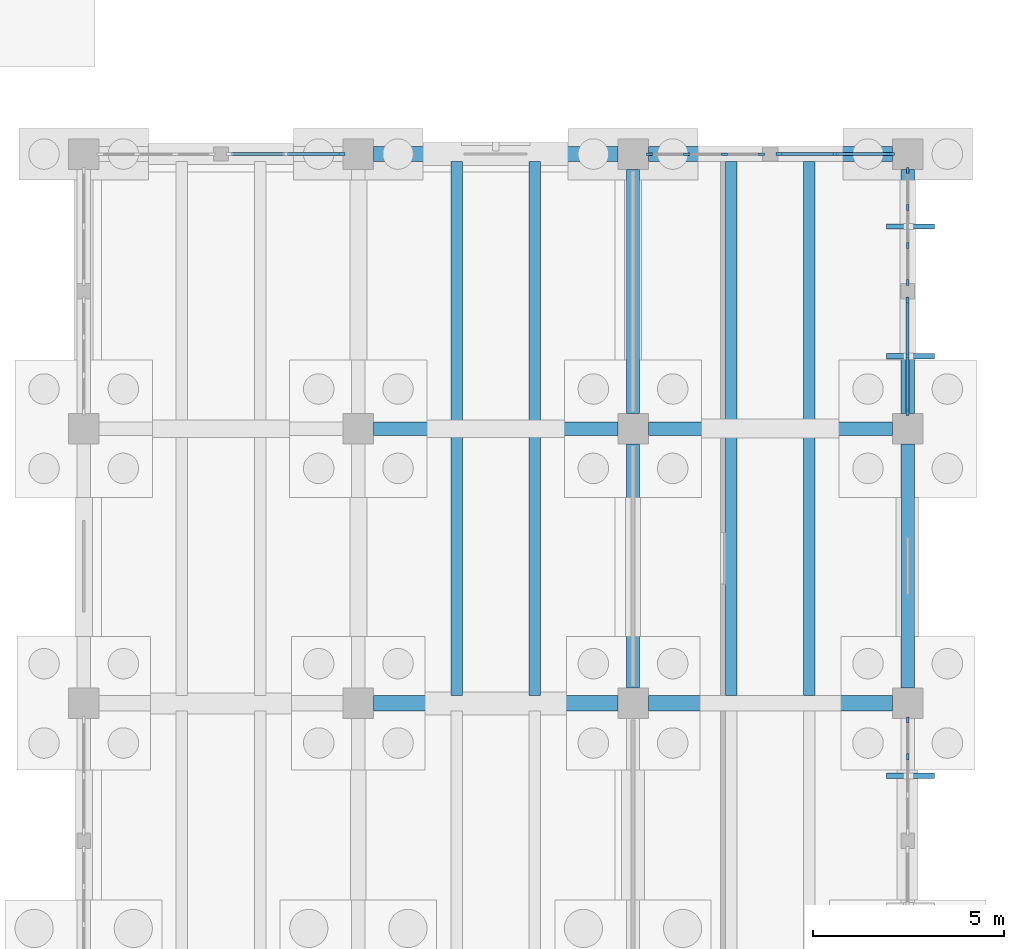
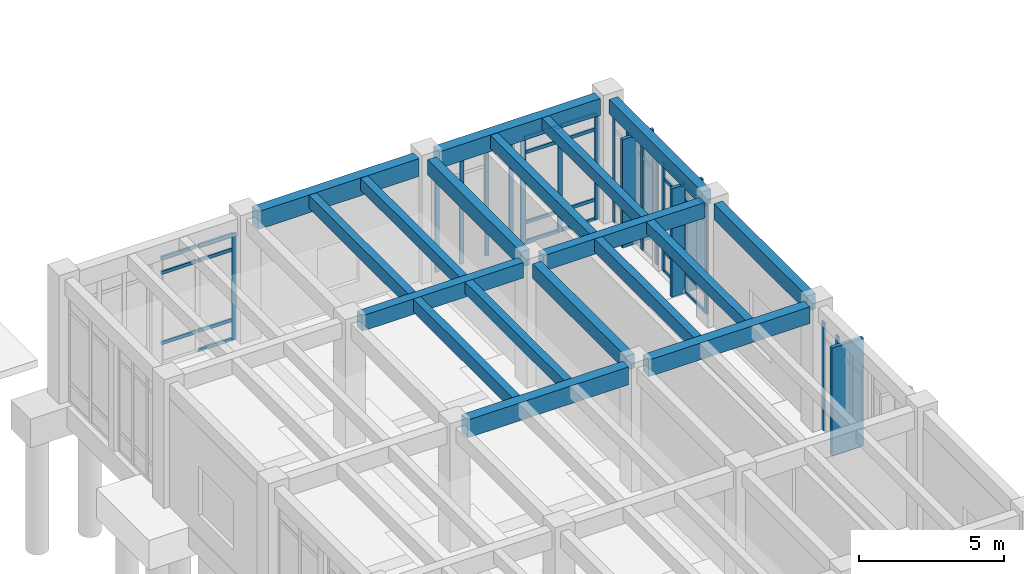
# One storey, part 42 of 93: 43 members, 18 beams, 6 elements without a shape of their own.
"""IFC4 building model written with IfcOpenShell, lengths in metres."""

import ifcopenshell
import ifcopenshell.guid

model = None  # the IFC model being written
_history = None  # IfcOwnerHistory: only IFC2X3 demands one
_inside = {}  # id of a spatial element -> (the spatial element, [elements in it])
_under = {}  # id of a project, library or spatial element -> (it, [spatial elements below it])
_declared = {}  # id of a project -> (the project, [libraries it declares])
_typed = {}  # id of a type object -> (the type object, [elements of that type])
_made_of = {}  # id of a material, layer set ... -> (it, [elements and type objects made of it])


def new_model(schema):
    """Start an empty IFC model of exactly this schema.

    Asked for "IFC4X3", IfcOpenShell would pick the latest addendum, in which some entities
    have other attributes; the version numbers below select the first issue.
    IFC2X3 requires an IfcOwnerHistory on every rooted entity: one is made here for all.
    """
    global model, _history
    if schema == "IFC4X3":
        model = ifcopenshell.file(schema_version=(4, 3, 0, 0))
    else:
        model = ifcopenshell.file(schema=schema)
    _inside.clear()
    _under.clear()
    _declared.clear()
    _typed.clear()
    _made_of.clear()
    _history = None
    if model.schema == "IFC2X3":
        org = make("IfcOrganization", Name="unknown")
        user = make(
            "IfcPersonAndOrganization",
            ThePerson=make("IfcPerson", FamilyName="unknown"),
            TheOrganization=org,
        )
        app = make(
            "IfcApplication",
            ApplicationDeveloper=org,
            Version="unknown",
            ApplicationFullName="unknown",
            ApplicationIdentifier="unknown",
        )
        _history = make(
            "IfcOwnerHistory",
            OwningUser=user,
            OwningApplication=app,
            ChangeAction="ADDED",
            CreationDate=0,
        )
    return model


def make(cls, **values):
    """One entity of the class cls with the attributes given. An attribute that is None is left unset."""
    return model.create_entity(
        cls, **{name: value for name, value in values.items() if value is not None}
    )


def rooted(cls, **values):
    """An entity with a GlobalId (a new one), such as an element, a storey or a relation."""
    return make(cls, GlobalId=ifcopenshell.guid.new(), OwnerHistory=_history, **values)


def si_unit(unit_type, name, prefix=None):
    """IfcSIUnit, for example si_unit("LENGTHUNIT", "METRE", prefix="MILLI")."""
    return make("IfcSIUnit", UnitType=unit_type, Prefix=prefix, Name=name)


def assignment(units):
    """IfcUnitAssignment: the units of a project."""
    return None if units is None else make("IfcUnitAssignment", Units=units)


def point(xyz):
    """IfcCartesianPoint."""
    return None if xyz is None else make("IfcCartesianPoint", Coordinates=xyz)


def direction(xyz):
    """IfcDirection."""
    return None if xyz is None else make("IfcDirection", DirectionRatios=xyz)


def frame(location, z_axis=None, x_axis=None):
    """IfcAxis2Placement3D, a coordinate frame: its origin and axes. An axis left out is left unset."""
    return make(
        "IfcAxis2Placement3D",
        Location=point(location),
        Axis=direction(z_axis),
        RefDirection=direction(x_axis),
    )


def frame_2d(location, x_axis=None):
    """IfcAxis2Placement2D, a coordinate frame in the plane: its origin and x axis."""
    return make(
        "IfcAxis2Placement2D", Location=point(location), RefDirection=direction(x_axis)
    )


def origin():
    """The frame at (0, 0, 0) with its axes left unset."""
    return frame((0.0, 0.0, 0.0))


def origin_2d():
    """The frame at (0, 0) in the plane with its x axis left unset."""
    return frame_2d((0.0, 0.0))


def place(relative_to, where):
    """IfcLocalPlacement: puts the frame where relative to a parent placement (None: the world)."""
    return make(
        "IfcLocalPlacement", PlacementRelTo=relative_to, RelativePlacement=where
    )


def context(
    kind, dimensions, precision=None, world=None, true_north=None, identifier=None
):
    """IfcGeometricRepresentationContext, for example the 3D "Model" context."""
    return make(
        "IfcGeometricRepresentationContext",
        ContextIdentifier=identifier,
        ContextType=kind,
        CoordinateSpaceDimension=dimensions,
        Precision=precision,
        WorldCoordinateSystem=world,
        TrueNorth=true_north,
    )


def subcontext(parent, identifier, kind, view, scale=None):
    """IfcGeometricRepresentationSubContext, for example "Body" below "Model"."""
    return make(
        "IfcGeometricRepresentationSubContext",
        ContextIdentifier=identifier,
        ContextType=kind,
        ParentContext=parent,
        TargetScale=scale,
        TargetView=view,
    )


def project(units=None, contexts=None):
    """IfcProject with its units and contexts."""
    return rooted(
        "IfcProject",
        Name="project",
        RepresentationContexts=contexts,
        UnitsInContext=assignment(units),
    )


def spatial(cls, under=None, at=None, **own):
    """A site, building, storey or space (cls), placed at a placement, below another one or the project."""
    s = rooted(cls, ObjectPlacement=at, **own)
    if under is not None:
        _under.setdefault(under.id(), (under, []))[1].append(s)
    return s


def profile(cls, at=None, kind="AREA", **sizes):
    """A parametric profile (cls). Its sizes go by their IFC names, for example OverallWidth=200.0."""
    return make(cls, ProfileType=kind, Position=at, **sizes)


def rectangle(**sizes):
    """IfcRectangleProfileDef."""
    return profile("IfcRectangleProfileDef", **sizes)


def extrude(swept, where, along, depth):
    """IfcExtrudedAreaSolid: the profile swept, set in the frame where, extruded along a direction by depth."""
    return make(
        "IfcExtrudedAreaSolid",
        SweptArea=swept,
        Position=where,
        ExtrudedDirection=direction(along),
        Depth=depth,
    )


def shape(context_of_items, identifier, shape_type, items):
    """IfcShapeRepresentation: the items that make up one representation, for example the "Body"."""
    return make(
        "IfcShapeRepresentation",
        ContextOfItems=context_of_items,
        RepresentationIdentifier=identifier,
        RepresentationType=shape_type,
        Items=items,
    )


def material(Name=None, Category=None):
    """IfcMaterial."""
    return make("IfcMaterial", Name=Name, Category=Category)


def layer(
    of_material, thickness, ventilated=None, Name=None, Category=None, Priority=None
):
    """IfcMaterialLayer: one layer of a wall or slab, of a material (None: an air gap)."""
    return make(
        "IfcMaterialLayer",
        Material=of_material,
        LayerThickness=thickness,
        IsVentilated=ventilated,
        Name=Name,
        Category=Category,
        Priority=Priority,
    )


def layer_set(layers, Name=None):
    """IfcMaterialLayerSet."""
    return make("IfcMaterialLayerSet", MaterialLayers=layers, LayerSetName=Name)


def material_profile(
    of_material, cross_section, Name=None, Category=None, Priority=None
):
    """IfcMaterialProfile: a cross section and its material."""
    return make(
        "IfcMaterialProfile",
        Name=Name,
        Material=of_material,
        Profile=cross_section,
        Priority=Priority,
        Category=Category,
    )


def profile_set(profiles, Name=None, composite=None):
    """IfcMaterialProfileSet."""
    return make(
        "IfcMaterialProfileSet",
        Name=Name,
        MaterialProfiles=profiles,
        CompositeProfile=composite,
    )


def made_of(thing, what):
    """Note that an element or type object is made of a material, layer set ...; save() writes the relation."""
    if what is not None:
        _made_of.setdefault(what.id(), (what, []))[1].append(thing)
    return thing


def type_object(cls, material=None, **own):
    """A type object (cls), such as IfcWallType, which elements share."""
    return made_of(rooted(cls, **own), material)


def element(
    cls,
    number,
    at=None,
    inside=None,
    cuts=None,
    type_object=None,
    material=None,
    context=None,
    identifier="Body",
    shape_type=None,
    held_by="IfcProductDefinitionShape",
    body=None,
    shapes=None,
    **own,
):
    """One element of the class cls, such as IfcWall. Its Tag is "e" and its number.

    at: its placement. inside: the storey or other place that contains it. cuts: it is an
    opening in that element (IfcRelVoidsElement). A single representation is given by context,
    identifier, shape_type and body (its items); several are given by shapes. held_by: the class
    of the entity that holds the representations. save() writes the other relations.
    """
    e = rooted(cls, Tag="e%d" % number, ObjectPlacement=at, **own)
    if body is not None:
        shapes = [shape(context, identifier, shape_type, body)]
    if shapes is not None:
        e.Representation = make(held_by, Representations=shapes)
    if inside is not None:
        _inside.setdefault(inside.id(), (inside, []))[1].append(e)
    if cuts is not None:
        rooted(
            "IfcRelVoidsElement", RelatingBuildingElement=cuts, RelatedOpeningElement=e
        )
    if type_object is not None:
        _typed.setdefault(type_object.id(), (type_object, []))[1].append(e)
    return made_of(e, material)


def aggregate(whole, parts):
    """IfcRelAggregates: a whole, such as a stair, and the parts it consists of."""
    return rooted("IfcRelAggregates", RelatingObject=whole, RelatedObjects=parts)


def save(model, path):
    """Write the relations noted so far, then the file.

    IfcRelAggregates (storeys below a building ...), IfcRelContainedInSpatialStructure (elements
    in a storey), IfcRelDefinesByType, IfcRelAssociatesMaterial and IfcRelDeclares: one each for
    every whole, place, type object, material and project.
    """
    for whole, parts in _under.values():
        aggregate(whole, parts)
    for where, things in _inside.values():
        rooted(
            "IfcRelContainedInSpatialStructure",
            RelatedElements=things,
            RelatingStructure=where,
        )
    for kind, things in _typed.values():
        rooted("IfcRelDefinesByType", RelatedObjects=things, RelatingType=kind)
    for what, things in _made_of.values():
        rooted("IfcRelAssociatesMaterial", RelatedObjects=things, RelatingMaterial=what)
    for by, libraries in _declared.values():
        rooted("IfcRelDeclares", RelatingContext=by, RelatedDefinitions=libraries)
    model.write(path)


model = new_model("IFC4")

# Units and contexts
model_context = context("Model", 3, precision=1e-05, world=origin(), true_north=direction((0.0, 1.0)))
body_context = subcontext(model_context, "Body", "Model", "MODEL_VIEW")
ifc_project = project(units=[si_unit("LENGTHUNIT", "METRE"), si_unit("AREAUNIT", "SQUARE_METRE"), si_unit("VOLUMEUNIT", "CUBIC_METRE"), si_unit("PLANEANGLEUNIT", "RADIAN"), si_unit("MASSUNIT", "GRAM", prefix="KILO")], contexts=[model_context])

# Site, building, storey
site_placement = place(None, origin())
site = spatial("IfcSite", under=ifc_project, at=site_placement, CompositionType="ELEMENT")
building_placement = place(site_placement, origin())
building = spatial("IfcBuilding", under=site, at=building_placement, Name="Koriwan Promenade Central Fire Station", CompositionType="ELEMENT")
storey_placement = place(building_placement, origin())
storey = spatial("IfcBuildingStorey", under=building, at=storey_placement, Name="L00", CompositionType="ELEMENT", Elevation=0.0)

# Beams
ifc_material_1 = material(Name="Concrete C35/45", Category="concrete")
ifc_material_profile_1 = material_profile(ifc_material_1, rectangle(XDim=0.300048828125, YDim=0.5, at=origin_2d()), Name="RC-BM-300x500")
ifc_profile_set_1 = profile_set([ifc_material_profile_1], Name="Concrete C35/45")
beam_type_1 = type_object("IfcBeamType", Name="Beam_RC-BM-300x500", PredefinedType="JOIST", material=ifc_profile_set_1)
for number, where, z_axis, x_axis, name in (
    (1, (163.02392578125, 65.0, 4.89990234375), (0.0, 1.0, 0.0), (-1.0, 0.0, 0.0), "V5 L00 secondary joist 615"),
    (2, (170.22412109375, 65.0, 4.89990234375), (0.0, 1.0, 0.0), (-1.0, 0.0, 0.0), "V5 L00 secondary joist 617"),
    (3, (163.02392578125, 72.175048828125, 4.89990234375), (0.0, 1.0, 0.0), (-1.0, 0.0, 0.0), "V5 L00 secondary joist 621"),
    (4, (170.22412109375, 72.175048828125, 4.89990234375), (0.0, 1.0, 0.0), (-1.0, 0.0, 0.0), "V5 L00 secondary joist 623"),
):
    element("IfcBeam", number, at=place(storey_placement, frame(where, z_axis=z_axis, x_axis=x_axis)), inside=storey, type_object=beam_type_1, Name=name, PredefinedType="JOIST", context=body_context, shape_type="SweptSolid", body=[
        extrude(rectangle(XDim=0.300048828125, YDim=0.5, at=origin_2d()), origin(), (0.0, 0.0, 1.0), 6.824951171875),
    ])
ifc_material_profile_2 = material_profile(ifc_material_1, rectangle(XDim=0.300048828125, YDim=0.550048828125, at=origin_2d()), Name="RC-BM-300x550")
ifc_profile_set_2 = profile_set([ifc_material_profile_2], Name="Concrete C35/45")
beam_type_2 = type_object("IfcBeamType", Name="Beam_RC-BM-300x550", PredefinedType="JOIST", material=ifc_profile_set_2)
for number, where, z_axis, x_axis, name in (
    (5, (160.97607421875, 65.0, 4.875), (0.0, 1.0, 0.0), (-1.0, 0.0, 0.0), "V5 L00 secondary joist 614"),
    (6, (168.176025390625, 65.0, 4.875), (0.0, 1.0, 0.0), (-1.0, 0.0, 0.0), "V5 L00 secondary joist 616"),
    (7, (160.97607421875, 72.175048828125, 4.875), (0.0, 1.0, 0.0), (-1.0, 0.0, 0.0), "V5 L00 secondary joist 620"),
    (8, (168.176025390625, 72.175048828125, 4.875), (0.0, 1.0, 0.0), (-1.0, 0.0, 0.0), "V5 L00 secondary joist 622"),
):
    element("IfcBeam", number, at=place(storey_placement, frame(where, z_axis=z_axis, x_axis=x_axis)), inside=storey, type_object=beam_type_2, Name=name, PredefinedType="JOIST", context=body_context, shape_type="SweptSolid", body=[
        extrude(rectangle(XDim=0.300048828125, YDim=0.550048828125, at=origin_2d()), origin(), (0.0, 0.0, 1.0), 6.824951171875),
    ])
ifc_material_profile_3 = material_profile(ifc_material_1, rectangle(XDim=0.35009765625, YDim=0.60009765625, at=origin_2d()), Name="RC-BM-350x600")
ifc_profile_set_3 = profile_set([ifc_material_profile_3], Name="Concrete C35/45")
beam_type_3 = type_object("IfcBeamType", Name="Beam_RC-BM-350x600", PredefinedType="BEAM", material=ifc_profile_set_3)
for number, where, z_axis, x_axis, name in (
    (9, (165.60009765625, 65.199951171875, 4.85009765625), (0.0, 1.0, 0.0), (-1.0, 0.0, 0.0), "V5 L00 girder Y-550"),
    (10, (172.800048828125, 72.39990234375, 4.860107421875), (0.0, 1.0, 0.0), (-1.0, 0.0, 0.0), "V5 L00 girder Y-562"),
):
    element("IfcBeam", number, at=place(storey_placement, frame(where, z_axis=z_axis, x_axis=x_axis)), inside=storey, type_object=beam_type_3, Name=name, PredefinedType="BEAM", context=body_context, shape_type="SweptSolid", body=[
        extrude(rectangle(XDim=0.35009765625, YDim=0.60009765625, at=origin_2d()), origin(), (0.0, 0.0, 1.0), 6.400146484375),
    ])
ifc_material_profile_4 = material_profile(ifc_material_1, rectangle(XDim=0.35009765625, YDim=0.64990234375, at=origin_2d()), Name="RC-BM-350x650")
ifc_profile_set_4 = profile_set([ifc_material_profile_4], Name="Concrete C35/45")
beam_type_4 = type_object("IfcBeamType", Name="Beam_RC-BM-350x650", PredefinedType="BEAM", material=ifc_profile_set_4)
for number, where, z_axis, x_axis, name in (
    (11, (165.60009765625, 72.39990234375, 4.8349609375), (0.0, 1.0, 0.0), (-1.0, 0.0, 0.0), "V5 L00 girder Y-551"),
    (12, (172.800048828125, 65.199951171875, 4.824951171875), (0.0, 1.0, 0.0), (-1.0, 0.0, 0.0), "V5 L00 girder Y-561"),
):
    element("IfcBeam", number, at=place(storey_placement, frame(where, z_axis=z_axis, x_axis=x_axis)), inside=storey, type_object=beam_type_4, Name=name, PredefinedType="BEAM", context=body_context, shape_type="SweptSolid", body=[
        extrude(rectangle(XDim=0.35009765625, YDim=0.64990234375, at=origin_2d()), origin(), (0.0, 0.0, 1.0), 6.400146484375),
    ])
ifc_material_profile_5 = material_profile(ifc_material_1, rectangle(XDim=0.39990234375, YDim=0.699951171875, at=origin_2d()), Name="RC-BM-400x700")
ifc_profile_set_5 = profile_set([ifc_material_profile_5], Name="Concrete C35/45")
beam_type_5 = type_object("IfcBeamType", Name="Beam_RC-BM-400x700", PredefinedType="BEAM", material=ifc_profile_set_5)
for number, where, z_axis, x_axis, name in (
    (13, (166.0, 64.800048828125, 4.800048828125), (1.0, 0.0, 0.0), (0.0, 1.0, 0.0), "V5 L00 girder X-510"),
    (14, (166.0, 79.199951171875, 4.81005859375), (1.0, 0.0, 0.0), (0.0, 1.0, 0.0), "V5 L00 girder X-516"),
):
    element("IfcBeam", number, at=place(storey_placement, frame(where, z_axis=z_axis, x_axis=x_axis)), inside=storey, type_object=beam_type_5, Name=name, PredefinedType="BEAM", context=body_context, shape_type="SweptSolid", body=[
        extrude(rectangle(XDim=0.39990234375, YDim=0.699951171875, at=origin_2d()), origin(), (0.0, 0.0, 1.0), 6.39990234375),
    ])
ifc_material_profile_6 = material_profile(ifc_material_1, rectangle(XDim=0.39990234375, YDim=0.75, at=origin_2d()), Name="RC-BM-400x750")
ifc_profile_set_6 = profile_set([ifc_material_profile_6], Name="Concrete C35/45")
beam_type_6 = type_object("IfcBeamType", Name="Beam_RC-BM-400x750", PredefinedType="BEAM", material=ifc_profile_set_6)
for number, where, z_axis, x_axis, name in (
    (15, (158.800048828125, 64.800048828125, 4.77490234375), (1.0, 0.0, 0.0), (0.0, 1.0, 0.0), "V5 L00 girder X-509"),
    (16, (158.800048828125, 79.199951171875, 4.784912109375), (1.0, 0.0, 0.0), (0.0, 1.0, 0.0), "V5 L00 girder X-515"),
):
    element("IfcBeam", number, at=place(storey_placement, frame(where, z_axis=z_axis, x_axis=x_axis)), inside=storey, type_object=beam_type_6, Name=name, PredefinedType="BEAM", context=body_context, shape_type="SweptSolid", body=[
        extrude(rectangle(XDim=0.39990234375, YDim=0.75, at=origin_2d()), origin(), (0.0, 0.0, 1.0), 6.39990234375),
    ])
ifc_material_profile_7 = material_profile(ifc_material_1, rectangle(XDim=0.35009765625, YDim=0.64990234375, at=origin_2d()), Name="RC-SP-350x650")
ifc_profile_set_7 = profile_set([ifc_material_profile_7], Name="Concrete C35/45")
beam_type_7 = type_object("IfcBeamType", Name="Beam_RC-SP-350x650", PredefinedType="SPANDREL", material=ifc_profile_set_7)
for number, where, z_axis, x_axis, name in (
    (17, (158.800048828125, 72.0, 4.824951171875), (1.0, 0.0, 0.0), (0.0, 1.0, 0.0), "V5 L00 girder X-512"),
    (18, (166.0, 72.0, 4.824951171875), (1.0, 0.0, 0.0), (0.0, 1.0, 0.0), "V5 L00 girder X-513"),
):
    element("IfcBeam", number, at=place(storey_placement, frame(where, z_axis=z_axis, x_axis=x_axis)), inside=storey, type_object=beam_type_7, Name=name, PredefinedType="SPANDREL", context=body_context, shape_type="SweptSolid", body=[
        extrude(rectangle(XDim=0.35009765625, YDim=0.64990234375, at=origin_2d()), origin(), (0.0, 0.0, 1.0), 6.39990234375),
    ])

# Curtain wall, members
ifc_material_2 = material(Name="Aluminium EN AW-6063-T6 and low-E glazing", Category="aluminium")
ifc_layer_1 = layer(ifc_material_2, 0.159912109375, Name="Aluminium EN AW-6063-T6 and low-E glazing")
ifc_layer_set_1 = layer_set([ifc_layer_1], Name="Aluminium EN AW-6063-T6 and low-E glazing")
curtain_wall_type_1 = type_object("IfcCurtainWallType", Name="CurtainWall_55_300x445", PredefinedType="USERDEFINED", material=ifc_layer_set_1)
curtain_wall_1_placement = place(storey_placement, origin())
curtain_wall_1 = element("IfcCurtainWall", 19, at=curtain_wall_1_placement, inside=storey, type_object=curtain_wall_type_1, Name="V5 L00 unitised curtain wall 147", ObjectType="UNITISED CURTAIN WALL", PredefinedType="USERDEFINED")
ifc_material_3 = material(Name="Aluminium EN AW-6063-T6", Category="aluminium")
ifc_material_profile_8 = material_profile(ifc_material_3, rectangle(XDim=0.06494140625, YDim=0.159912109375, at=origin_2d()), Name="ALU-MUL-65x160")
ifc_profile_set_8 = profile_set([ifc_material_profile_8], Name="Aluminium EN AW-6063-T6")
member_type_1 = type_object("IfcMemberType", Name="CWMullion_ALU-MUL-65x160", PredefinedType="MULLION", material=ifc_profile_set_8)
member_1_placement = place(storey_placement, frame((166.032470703125, 79.199951171875, 0.0), z_axis=(0.0, 0.0, 1.0), x_axis=(0.0, 1.0, 0.0)))
member_1 = element("IfcMember", 20, at=member_1_placement, type_object=member_type_1, Name="CW-55 mullion 1", PredefinedType="MULLION", context=body_context, shape_type="SweptSolid", body=[
    extrude(rectangle(XDim=0.06494140625, YDim=0.159912109375, at=origin_2d()), origin(), (0.0, 0.0, 1.0), 4.449951171875),
])
member_2_placement = place(storey_placement, frame((167.0, 79.199951171875, 0.0), z_axis=(0.0, 0.0, 1.0), x_axis=(0.0, 1.0, 0.0)))
member_2 = element("IfcMember", 21, at=member_2_placement, type_object=member_type_1, Name="CW-55 mullion 2", PredefinedType="MULLION", context=body_context, shape_type="SweptSolid", body=[
    extrude(rectangle(XDim=0.06494140625, YDim=0.159912109375, at=origin_2d()), origin(), (0.0, 0.0, 1.0), 4.449951171875),
])
member_3_placement = place(storey_placement, frame((168.0, 79.199951171875, 0.0), z_axis=(0.0, 0.0, 1.0), x_axis=(0.0, 1.0, 0.0)))
member_3 = element("IfcMember", 22, at=member_3_placement, type_object=member_type_1, Name="CW-55 mullion 3", PredefinedType="MULLION", context=body_context, shape_type="SweptSolid", body=[
    extrude(rectangle(XDim=0.06494140625, YDim=0.159912109375, at=origin_2d()), origin(), (0.0, 0.0, 1.0), 4.449951171875),
])
member_4_placement = place(storey_placement, frame((168.967529296875, 79.199951171875, 0.0), z_axis=(0.0, 0.0, 1.0), x_axis=(0.0, 1.0, 0.0)))
member_4 = element("IfcMember", 23, at=member_4_placement, type_object=member_type_1, Name="CW-55 mullion 4", PredefinedType="MULLION", context=body_context, shape_type="SweptSolid", body=[
    extrude(rectangle(XDim=0.06494140625, YDim=0.159912109375, at=origin_2d()), origin(), (0.0, 0.0, 1.0), 4.449951171875),
])
aggregate(curtain_wall_1, [member_1, member_2, member_3, member_4])

ifc_layer_2 = layer(ifc_material_2, 0.159912109375, Name="Aluminium EN AW-6063-T6 and low-E glazing")
ifc_layer_set_2 = layer_set([ifc_layer_2], Name="Aluminium EN AW-6063-T6 and low-E glazing")
curtain_wall_type_2 = type_object("IfcCurtainWallType", Name="CurtainWall_57_300x455", PredefinedType="USERDEFINED", material=ifc_layer_set_2)
curtain_wall_2_placement = place(storey_placement, origin())
curtain_wall_2 = element("IfcCurtainWall", 24, at=curtain_wall_2_placement, inside=storey, type_object=curtain_wall_type_2, Name="V5 L00 unitised curtain wall 149", ObjectType="UNITISED CURTAIN WALL", PredefinedType="USERDEFINED")
member_5_placement = place(storey_placement, frame((172.800048828125, 78.767578125, 0.0), z_axis=(0.0, 0.0, 1.0), x_axis=(1.0, 0.0, 0.0)))
member_5 = element("IfcMember", 25, at=member_5_placement, type_object=member_type_1, Name="CW-57 mullion 1", PredefinedType="MULLION", context=body_context, shape_type="SweptSolid", body=[
    extrude(rectangle(XDim=0.06494140625, YDim=0.159912109375, at=origin_2d()), origin(), (0.0, 0.0, 1.0), 4.550048828125),
])
member_6_placement = place(storey_placement, frame((172.800048828125, 77.800048828125, 0.0), z_axis=(0.0, 0.0, 1.0), x_axis=(1.0, 0.0, 0.0)))
member_6 = element("IfcMember", 26, at=member_6_placement, type_object=member_type_1, Name="CW-57 mullion 2", PredefinedType="MULLION", context=body_context, shape_type="SweptSolid", body=[
    extrude(rectangle(XDim=0.06494140625, YDim=0.159912109375, at=origin_2d()), origin(), (0.0, 0.0, 1.0), 4.550048828125),
])
member_7_placement = place(storey_placement, frame((172.800048828125, 76.800048828125, 0.0), z_axis=(0.0, 0.0, 1.0), x_axis=(1.0, 0.0, 0.0)))
member_7 = element("IfcMember", 27, at=member_7_placement, type_object=member_type_1, Name="CW-57 mullion 3", PredefinedType="MULLION", context=body_context, shape_type="SweptSolid", body=[
    extrude(rectangle(XDim=0.06494140625, YDim=0.159912109375, at=origin_2d()), origin(), (0.0, 0.0, 1.0), 4.550048828125),
])
member_8_placement = place(storey_placement, frame((172.800048828125, 75.83251953125, 0.0), z_axis=(0.0, 0.0, 1.0), x_axis=(1.0, 0.0, 0.0)))
member_8 = element("IfcMember", 28, at=member_8_placement, type_object=member_type_1, Name="CW-57 mullion 4", PredefinedType="MULLION", context=body_context, shape_type="SweptSolid", body=[
    extrude(rectangle(XDim=0.06494140625, YDim=0.159912109375, at=origin_2d()), origin(), (0.0, 0.0, 1.0), 4.550048828125),
])
aggregate(curtain_wall_2, [member_5, member_6, member_7, member_8])

ifc_layer_3 = layer(ifc_material_2, 0.159912109375, Name="Aluminium EN AW-6063-T6 and low-E glazing")
ifc_layer_set_3 = layer_set([ifc_layer_3], Name="Aluminium EN AW-6063-T6 and low-E glazing")
curtain_wall_type_3 = type_object("IfcCurtainWallType", Name="CurtainWall_59_300x454", PredefinedType="USERDEFINED", material=ifc_layer_set_3)
curtain_wall_3_placement = place(storey_placement, origin())
curtain_wall_3 = element("IfcCurtainWall", 29, at=curtain_wall_3_placement, inside=storey, type_object=curtain_wall_type_3, Name="V5 L00 unitised curtain wall 151", ObjectType="UNITISED CURTAIN WALL", PredefinedType="USERDEFINED")
member_9_placement = place(storey_placement, frame((172.800048828125, 64.367431640625, 0.0), z_axis=(0.0, 0.0, 1.0), x_axis=(1.0, 0.0, 0.0)))
member_9 = element("IfcMember", 30, at=member_9_placement, type_object=member_type_1, Name="CW-59 mullion 1", PredefinedType="MULLION", context=body_context, shape_type="SweptSolid", body=[
    extrude(rectangle(XDim=0.06494140625, YDim=0.159912109375, at=origin_2d()), origin(), (0.0, 0.0, 1.0), 4.5400390625),
])
member_10_placement = place(storey_placement, frame((172.800048828125, 63.39990234375, 0.0), z_axis=(0.0, 0.0, 1.0), x_axis=(1.0, 0.0, 0.0)))
member_10 = element("IfcMember", 31, at=member_10_placement, type_object=member_type_1, Name="CW-59 mullion 2", PredefinedType="MULLION", context=body_context, shape_type="SweptSolid", body=[
    extrude(rectangle(XDim=0.06494140625, YDim=0.159912109375, at=origin_2d()), origin(), (0.0, 0.0, 1.0), 4.5400390625),
])
aggregate(curtain_wall_3, [member_9, member_10])

# Curtain wall, member
ifc_layer_4 = layer(ifc_material_2, 0.159912109375, Name="Aluminium EN AW-6063-T6 and low-E glazing")
ifc_layer_set_4 = layer_set([ifc_layer_4], Name="Aluminium EN AW-6063-T6 and low-E glazing")
curtain_wall_type_4 = type_object("IfcCurtainWallType", Name="CurtainWall_56_300x445", PredefinedType="USERDEFINED", material=ifc_layer_set_4)
curtain_wall_4_placement = place(storey_placement, origin())
curtain_wall_4 = element("IfcCurtainWall", 32, at=curtain_wall_4_placement, inside=storey, type_object=curtain_wall_type_4, Name="V5 L00 unitised curtain wall 146", ObjectType="UNITISED CURTAIN WALL", PredefinedType="USERDEFINED")
ifc_material_profile_9 = material_profile(ifc_material_3, rectangle(XDim=0.074951171875, YDim=0.179931640625, at=origin_2d()), Name="ALU-MUL-75x180")
ifc_profile_set_9 = profile_set([ifc_material_profile_9], Name="Aluminium EN AW-6063-T6")
member_type_2 = type_object("IfcMemberType", Name="CWMullion_ALU-MUL-75x180", PredefinedType="MULLION", material=ifc_profile_set_9)
member_11_placement = place(storey_placement, frame((157.96240234375, 79.199951171875, 0.0), z_axis=(0.0, 0.0, 1.0), x_axis=(0.0, 1.0, 0.0)))
member_11 = element("IfcMember", 33, at=member_11_placement, type_object=member_type_2, Name="CW-56 mullion 3", PredefinedType="MULLION", context=body_context, shape_type="SweptSolid", body=[
    extrude(rectangle(XDim=0.074951171875, YDim=0.179931640625, at=origin_2d()), origin(), (0.0, 0.0, 1.0), 4.449951171875),
])

# Curtain wall, members
curtain_wall_5_placement = place(storey_placement, origin())
curtain_wall_5 = element("IfcCurtainWall", 34, at=curtain_wall_5_placement, inside=storey, type_object=curtain_wall_type_4, Name="V5 L00 unitised curtain wall 148", ObjectType="UNITISED CURTAIN WALL", PredefinedType="USERDEFINED")
member_12_placement = place(storey_placement, frame((169.4375, 79.199951171875, 0.0), z_axis=(0.0, 0.0, 1.0), x_axis=(0.0, 1.0, 0.0)))
member_12 = element("IfcMember", 35, at=member_12_placement, type_object=member_type_2, Name="CW-56 mullion 1", PredefinedType="MULLION", context=body_context, shape_type="SweptSolid", body=[
    extrude(rectangle(XDim=0.074951171875, YDim=0.179931640625, at=origin_2d()), origin(), (0.0, 0.0, 1.0), 4.449951171875),
])
member_13_placement = place(storey_placement, frame((170.89990234375, 79.199951171875, 0.0), z_axis=(0.0, 0.0, 1.0), x_axis=(0.0, 1.0, 0.0)))
member_13 = element("IfcMember", 36, at=member_13_placement, type_object=member_type_2, Name="CW-56 mullion 2", PredefinedType="MULLION", context=body_context, shape_type="SweptSolid", body=[
    extrude(rectangle(XDim=0.074951171875, YDim=0.179931640625, at=origin_2d()), origin(), (0.0, 0.0, 1.0), 4.449951171875),
])
member_14_placement = place(storey_placement, frame((172.362548828125, 79.199951171875, 0.0), z_axis=(0.0, 0.0, 1.0), x_axis=(0.0, 1.0, 0.0)))
member_14 = element("IfcMember", 37, at=member_14_placement, type_object=member_type_2, Name="CW-56 mullion 3", PredefinedType="MULLION", context=body_context, shape_type="SweptSolid", body=[
    extrude(rectangle(XDim=0.074951171875, YDim=0.179931640625, at=origin_2d()), origin(), (0.0, 0.0, 1.0), 4.449951171875),
])

ifc_layer_5 = layer(ifc_material_2, 0.159912109375, Name="Aluminium EN AW-6063-T6 and low-E glazing")
ifc_layer_set_5 = layer_set([ifc_layer_5], Name="Aluminium EN AW-6063-T6 and low-E glazing")
curtain_wall_type_5 = type_object("IfcCurtainWallType", Name="CurtainWall_58_300x455", PredefinedType="USERDEFINED", material=ifc_layer_set_5)
curtain_wall_6_placement = place(storey_placement, origin())
curtain_wall_6 = element("IfcCurtainWall", 38, at=curtain_wall_6_placement, inside=storey, type_object=curtain_wall_type_5, Name="V5 L00 unitised curtain wall 150", ObjectType="UNITISED CURTAIN WALL", PredefinedType="USERDEFINED")
member_15_placement = place(storey_placement, frame((172.800048828125, 75.362548828125, 0.0), z_axis=(0.0, 0.0, 1.0), x_axis=(1.0, 0.0, 0.0)))
member_15 = element("IfcMember", 39, at=member_15_placement, type_object=member_type_2, Name="CW-58 mullion 1", PredefinedType="MULLION", context=body_context, shape_type="SweptSolid", body=[
    extrude(rectangle(XDim=0.074951171875, YDim=0.179931640625, at=origin_2d()), origin(), (0.0, 0.0, 1.0), 4.550048828125),
])
member_16_placement = place(storey_placement, frame((172.800048828125, 73.89990234375, 0.0), z_axis=(0.0, 0.0, 1.0), x_axis=(1.0, 0.0, 0.0)))
member_16 = element("IfcMember", 40, at=member_16_placement, type_object=member_type_2, Name="CW-58 mullion 2", PredefinedType="MULLION", context=body_context, shape_type="SweptSolid", body=[
    extrude(rectangle(XDim=0.074951171875, YDim=0.179931640625, at=origin_2d()), origin(), (0.0, 0.0, 1.0), 4.550048828125),
])
member_17_placement = place(storey_placement, frame((172.800048828125, 72.4375, 0.0), z_axis=(0.0, 0.0, 1.0), x_axis=(1.0, 0.0, 0.0)))
member_17 = element("IfcMember", 41, at=member_17_placement, type_object=member_type_2, Name="CW-58 mullion 3", PredefinedType="MULLION", context=body_context, shape_type="SweptSolid", body=[
    extrude(rectangle(XDim=0.074951171875, YDim=0.179931640625, at=origin_2d()), origin(), (0.0, 0.0, 1.0), 4.550048828125),
])

# Member
ifc_material_profile_10 = material_profile(ifc_material_3, rectangle(XDim=0.074951171875, YDim=0.139892578125, at=origin_2d()), Name="ALU-TRN-75x140")
ifc_profile_set_10 = profile_set([ifc_material_profile_10], Name="Aluminium EN AW-6063-T6")
member_type_3 = type_object("IfcMemberType", Name="CWTransom_ALU-TRN-75x140", PredefinedType="USERDEFINED", material=ifc_profile_set_10)
member_18_placement = place(storey_placement, frame((155.074951171875, 79.199951171875, 0.85009765625), z_axis=(1.0, 0.0, 0.0), x_axis=(0.0, 1.0, 0.0)))
member_18 = element("IfcMember", 42, at=member_18_placement, type_object=member_type_3, Name="CW-56 transom 1.2", ObjectType="TRANSOM", PredefinedType="USERDEFINED", context=body_context, shape_type="SweptSolid", body=[
    extrude(rectangle(XDim=0.074951171875, YDim=0.139892578125, at=origin_2d()), origin(), (0.0, 0.0, 1.0), 1.387451171875),
])

member_19_placement = place(storey_placement, frame((155.074951171875, 79.199951171875, 3.800048828125), z_axis=(1.0, 0.0, 0.0), x_axis=(0.0, 1.0, 0.0)))
member_19 = element("IfcMember", 43, at=member_19_placement, type_object=member_type_3, Name="CW-56 transom 1.3", ObjectType="TRANSOM", PredefinedType="USERDEFINED", context=body_context, shape_type="SweptSolid", body=[
    extrude(rectangle(XDim=0.074951171875, YDim=0.139892578125, at=origin_2d()), origin(), (0.0, 0.0, 1.0), 1.387451171875),
])

member_20_placement = place(storey_placement, frame((155.074951171875, 79.199951171875, 4.41259765625), z_axis=(1.0, 0.0, 0.0), x_axis=(0.0, 1.0, 0.0)))
member_20 = element("IfcMember", 44, at=member_20_placement, type_object=member_type_3, Name="CW-56 transom 1.4", ObjectType="TRANSOM", PredefinedType="USERDEFINED", context=body_context, shape_type="SweptSolid", body=[
    extrude(rectangle(XDim=0.074951171875, YDim=0.139892578125, at=origin_2d()), origin(), (0.0, 0.0, 1.0), 1.387451171875),
])

member_21_placement = place(storey_placement, frame((156.53759765625, 79.199951171875, 0.03759765625), z_axis=(1.0, 0.0, 0.0), x_axis=(0.0, 1.0, 0.0)))
member_21 = element("IfcMember", 45, at=member_21_placement, type_object=member_type_3, Name="CW-56 transom 2.1", ObjectType="TRANSOM", PredefinedType="USERDEFINED", context=body_context, shape_type="SweptSolid", body=[
    extrude(rectangle(XDim=0.074951171875, YDim=0.139892578125, at=origin_2d()), origin(), (0.0, 0.0, 1.0), 1.387451171875),
])

member_22_placement = place(storey_placement, frame((156.53759765625, 79.199951171875, 0.85009765625), z_axis=(1.0, 0.0, 0.0), x_axis=(0.0, 1.0, 0.0)))
member_22 = element("IfcMember", 46, at=member_22_placement, type_object=member_type_3, Name="CW-56 transom 2.2", ObjectType="TRANSOM", PredefinedType="USERDEFINED", context=body_context, shape_type="SweptSolid", body=[
    extrude(rectangle(XDim=0.074951171875, YDim=0.139892578125, at=origin_2d()), origin(), (0.0, 0.0, 1.0), 1.387451171875),
])

member_23_placement = place(storey_placement, frame((156.53759765625, 79.199951171875, 3.800048828125), z_axis=(1.0, 0.0, 0.0), x_axis=(0.0, 1.0, 0.0)))
member_23 = element("IfcMember", 47, at=member_23_placement, type_object=member_type_3, Name="CW-56 transom 2.3", ObjectType="TRANSOM", PredefinedType="USERDEFINED", context=body_context, shape_type="SweptSolid", body=[
    extrude(rectangle(XDim=0.074951171875, YDim=0.139892578125, at=origin_2d()), origin(), (0.0, 0.0, 1.0), 1.387451171875),
])

member_24_placement = place(storey_placement, frame((156.53759765625, 79.199951171875, 4.41259765625), z_axis=(1.0, 0.0, 0.0), x_axis=(0.0, 1.0, 0.0)))
member_24 = element("IfcMember", 48, at=member_24_placement, type_object=member_type_3, Name="CW-56 transom 2.4", ObjectType="TRANSOM", PredefinedType="USERDEFINED", context=body_context, shape_type="SweptSolid", body=[
    extrude(rectangle(XDim=0.074951171875, YDim=0.139892578125, at=origin_2d()), origin(), (0.0, 0.0, 1.0), 1.387451171875),
])

aggregate(curtain_wall_4, [member_11, member_18, member_19, member_20, member_21, member_22, member_23, member_24])

member_25_placement = place(storey_placement, frame((169.47509765625, 79.199951171875, 0.03759765625), z_axis=(1.0, 0.0, 0.0), x_axis=(0.0, 1.0, 0.0)))
member_25 = element("IfcMember", 49, at=member_25_placement, type_object=member_type_3, Name="CW-56 transom 1.1", ObjectType="TRANSOM", PredefinedType="USERDEFINED", context=body_context, shape_type="SweptSolid", body=[
    extrude(rectangle(XDim=0.074951171875, YDim=0.139892578125, at=origin_2d()), origin(), (0.0, 0.0, 1.0), 1.387451171875),
])

member_26_placement = place(storey_placement, frame((169.47509765625, 79.199951171875, 0.85009765625), z_axis=(1.0, 0.0, 0.0), x_axis=(0.0, 1.0, 0.0)))
member_26 = element("IfcMember", 50, at=member_26_placement, type_object=member_type_3, Name="CW-56 transom 1.2", ObjectType="TRANSOM", PredefinedType="USERDEFINED", context=body_context, shape_type="SweptSolid", body=[
    extrude(rectangle(XDim=0.074951171875, YDim=0.139892578125, at=origin_2d()), origin(), (0.0, 0.0, 1.0), 1.387451171875),
])

member_27_placement = place(storey_placement, frame((169.47509765625, 79.199951171875, 3.800048828125), z_axis=(1.0, 0.0, 0.0), x_axis=(0.0, 1.0, 0.0)))
member_27 = element("IfcMember", 51, at=member_27_placement, type_object=member_type_3, Name="CW-56 transom 1.3", ObjectType="TRANSOM", PredefinedType="USERDEFINED", context=body_context, shape_type="SweptSolid", body=[
    extrude(rectangle(XDim=0.074951171875, YDim=0.139892578125, at=origin_2d()), origin(), (0.0, 0.0, 1.0), 1.387451171875),
])

member_28_placement = place(storey_placement, frame((169.47509765625, 79.199951171875, 4.41259765625), z_axis=(1.0, 0.0, 0.0), x_axis=(0.0, 1.0, 0.0)))
member_28 = element("IfcMember", 52, at=member_28_placement, type_object=member_type_3, Name="CW-56 transom 1.4", ObjectType="TRANSOM", PredefinedType="USERDEFINED", context=body_context, shape_type="SweptSolid", body=[
    extrude(rectangle(XDim=0.074951171875, YDim=0.139892578125, at=origin_2d()), origin(), (0.0, 0.0, 1.0), 1.387451171875),
])

member_29_placement = place(storey_placement, frame((170.9375, 79.199951171875, 0.03759765625), z_axis=(1.0, 0.0, 0.0), x_axis=(0.0, 1.0, 0.0)))
member_29 = element("IfcMember", 53, at=member_29_placement, type_object=member_type_3, Name="CW-56 transom 2.1", ObjectType="TRANSOM", PredefinedType="USERDEFINED", context=body_context, shape_type="SweptSolid", body=[
    extrude(rectangle(XDim=0.074951171875, YDim=0.139892578125, at=origin_2d()), origin(), (0.0, 0.0, 1.0), 1.387451171875),
])

member_30_placement = place(storey_placement, frame((170.9375, 79.199951171875, 0.85009765625), z_axis=(1.0, 0.0, 0.0), x_axis=(0.0, 1.0, 0.0)))
member_30 = element("IfcMember", 54, at=member_30_placement, type_object=member_type_3, Name="CW-56 transom 2.2", ObjectType="TRANSOM", PredefinedType="USERDEFINED", context=body_context, shape_type="SweptSolid", body=[
    extrude(rectangle(XDim=0.074951171875, YDim=0.139892578125, at=origin_2d()), origin(), (0.0, 0.0, 1.0), 1.387451171875),
])

member_31_placement = place(storey_placement, frame((170.9375, 79.199951171875, 3.800048828125), z_axis=(1.0, 0.0, 0.0), x_axis=(0.0, 1.0, 0.0)))
member_31 = element("IfcMember", 55, at=member_31_placement, type_object=member_type_3, Name="CW-56 transom 2.3", ObjectType="TRANSOM", PredefinedType="USERDEFINED", context=body_context, shape_type="SweptSolid", body=[
    extrude(rectangle(XDim=0.074951171875, YDim=0.139892578125, at=origin_2d()), origin(), (0.0, 0.0, 1.0), 1.387451171875),
])

member_32_placement = place(storey_placement, frame((170.9375, 79.199951171875, 4.41259765625), z_axis=(1.0, 0.0, 0.0), x_axis=(0.0, 1.0, 0.0)))
member_32 = element("IfcMember", 56, at=member_32_placement, type_object=member_type_3, Name="CW-56 transom 2.4", ObjectType="TRANSOM", PredefinedType="USERDEFINED", context=body_context, shape_type="SweptSolid", body=[
    extrude(rectangle(XDim=0.074951171875, YDim=0.139892578125, at=origin_2d()), origin(), (0.0, 0.0, 1.0), 1.387451171875),
])

aggregate(curtain_wall_5, [member_12, member_13, member_14, member_25, member_26, member_27, member_28, member_29, member_30, member_31, member_32])

member_33_placement = place(storey_placement, frame((172.800048828125, 75.324951171875, 0.03759765625), z_axis=(0.0, -1.0, 0.0), x_axis=(1.0, 0.0, 0.0)))
member_33 = element("IfcMember", 57, at=member_33_placement, type_object=member_type_3, Name="CW-58 transom 1.1", ObjectType="TRANSOM", PredefinedType="USERDEFINED", context=body_context, shape_type="SweptSolid", body=[
    extrude(rectangle(XDim=0.074951171875, YDim=0.139892578125, at=origin_2d()), origin(), (0.0, 0.0, 1.0), 1.387451171875),
])

member_34_placement = place(storey_placement, frame((172.800048828125, 75.324951171875, 0.85009765625), z_axis=(0.0, -1.0, 0.0), x_axis=(1.0, 0.0, 0.0)))
member_34 = element("IfcMember", 58, at=member_34_placement, type_object=member_type_3, Name="CW-58 transom 1.2", ObjectType="TRANSOM", PredefinedType="USERDEFINED", context=body_context, shape_type="SweptSolid", body=[
    extrude(rectangle(XDim=0.074951171875, YDim=0.139892578125, at=origin_2d()), origin(), (0.0, 0.0, 1.0), 1.387451171875),
])

member_35_placement = place(storey_placement, frame((172.800048828125, 75.324951171875, 3.89990234375), z_axis=(0.0, -1.0, 0.0), x_axis=(1.0, 0.0, 0.0)))
member_35 = element("IfcMember", 59, at=member_35_placement, type_object=member_type_3, Name="CW-58 transom 1.3", ObjectType="TRANSOM", PredefinedType="USERDEFINED", context=body_context, shape_type="SweptSolid", body=[
    extrude(rectangle(XDim=0.074951171875, YDim=0.139892578125, at=origin_2d()), origin(), (0.0, 0.0, 1.0), 1.387451171875),
])

member_36_placement = place(storey_placement, frame((172.800048828125, 75.324951171875, 4.512451171875), z_axis=(0.0, -1.0, 0.0), x_axis=(1.0, 0.0, 0.0)))
member_36 = element("IfcMember", 60, at=member_36_placement, type_object=member_type_3, Name="CW-58 transom 1.4", ObjectType="TRANSOM", PredefinedType="USERDEFINED", context=body_context, shape_type="SweptSolid", body=[
    extrude(rectangle(XDim=0.074951171875, YDim=0.139892578125, at=origin_2d()), origin(), (0.0, 0.0, 1.0), 1.387451171875),
])

member_37_placement = place(storey_placement, frame((172.800048828125, 73.862548828125, 0.03759765625), z_axis=(0.0, -1.0, 0.0), x_axis=(1.0, 0.0, 0.0)))
member_37 = element("IfcMember", 61, at=member_37_placement, type_object=member_type_3, Name="CW-58 transom 2.1", ObjectType="TRANSOM", PredefinedType="USERDEFINED", context=body_context, shape_type="SweptSolid", body=[
    extrude(rectangle(XDim=0.074951171875, YDim=0.139892578125, at=origin_2d()), origin(), (0.0, 0.0, 1.0), 1.387451171875),
])

member_38_placement = place(storey_placement, frame((172.800048828125, 73.862548828125, 0.85009765625), z_axis=(0.0, -1.0, 0.0), x_axis=(1.0, 0.0, 0.0)))
member_38 = element("IfcMember", 62, at=member_38_placement, type_object=member_type_3, Name="CW-58 transom 2.2", ObjectType="TRANSOM", PredefinedType="USERDEFINED", context=body_context, shape_type="SweptSolid", body=[
    extrude(rectangle(XDim=0.074951171875, YDim=0.139892578125, at=origin_2d()), origin(), (0.0, 0.0, 1.0), 1.387451171875),
])

member_39_placement = place(storey_placement, frame((172.800048828125, 73.862548828125, 3.89990234375), z_axis=(0.0, -1.0, 0.0), x_axis=(1.0, 0.0, 0.0)))
member_39 = element("IfcMember", 63, at=member_39_placement, type_object=member_type_3, Name="CW-58 transom 2.3", ObjectType="TRANSOM", PredefinedType="USERDEFINED", context=body_context, shape_type="SweptSolid", body=[
    extrude(rectangle(XDim=0.074951171875, YDim=0.139892578125, at=origin_2d()), origin(), (0.0, 0.0, 1.0), 1.387451171875),
])

member_40_placement = place(storey_placement, frame((172.800048828125, 73.862548828125, 4.512451171875), z_axis=(0.0, -1.0, 0.0), x_axis=(1.0, 0.0, 0.0)))
member_40 = element("IfcMember", 64, at=member_40_placement, type_object=member_type_3, Name="CW-58 transom 2.4", ObjectType="TRANSOM", PredefinedType="USERDEFINED", context=body_context, shape_type="SweptSolid", body=[
    extrude(rectangle(XDim=0.074951171875, YDim=0.139892578125, at=origin_2d()), origin(), (0.0, 0.0, 1.0), 1.387451171875),
])

aggregate(curtain_wall_6, [member_15, member_16, member_17, member_33, member_34, member_35, member_36, member_37, member_38, member_39, member_40])

# Members
ifc_material_4 = material(Name="Aluminium EN AW-6063-T6 terracotta finish", Category="masonry")
ifc_material_profile_11 = material_profile(ifc_material_4, rectangle(XDim=0.139892578125, YDim=1.25, at=origin_2d()), Name="FIN-TRC-140x1250")
ifc_profile_set_11 = profile_set([ifc_material_profile_11], Name="Aluminium EN AW-6063-T6 terracotta finish")
member_type_4 = type_object("IfcMemberType", Name="SolarFin_FIN-TRC-140x1250", PredefinedType="USERDEFINED", material=ifc_profile_set_11)
for number, where, z_axis, x_axis, name in (
    (65, (172.875, 77.300048828125, 0.0), (0.0, 0.0, 1.0), (0.0, -1.0, 0.0), "V5 L00 terracotta solar fin 017"),
    (66, (172.875, 73.89990234375, 0.0), (0.0, 0.0, 1.0), (0.0, -1.0, 0.0), "V5 L00 terracotta solar fin 018"),
):
    element("IfcMember", number, at=place(storey_placement, frame(where, z_axis=z_axis, x_axis=x_axis)), inside=storey, type_object=member_type_4, Name=name, ObjectType="SOLAR FIN", PredefinedType="USERDEFINED", context=body_context, shape_type="SweptSolid", body=[
        extrude(rectangle(XDim=0.139892578125, YDim=1.25, at=origin_2d()), origin(), (0.0, 0.0, 1.0), 4.550048828125),
    ])
member_41_placement = place(storey_placement, frame((172.875, 62.89990234375, 0.0), z_axis=(0.0, 0.0, 1.0), x_axis=(0.0, -1.0, 0.0)))
element("IfcMember", 67, at=member_41_placement, inside=storey, type_object=member_type_4, Name="V5 L00 terracotta solar fin 019", ObjectType="SOLAR FIN", PredefinedType="USERDEFINED", context=body_context, shape_type="SweptSolid", body=[
    extrude(rectangle(XDim=0.139892578125, YDim=1.25, at=origin_2d()), origin(), (0.0, 0.0, 1.0), 4.5400390625),
])

save(model, "model.ifc")
